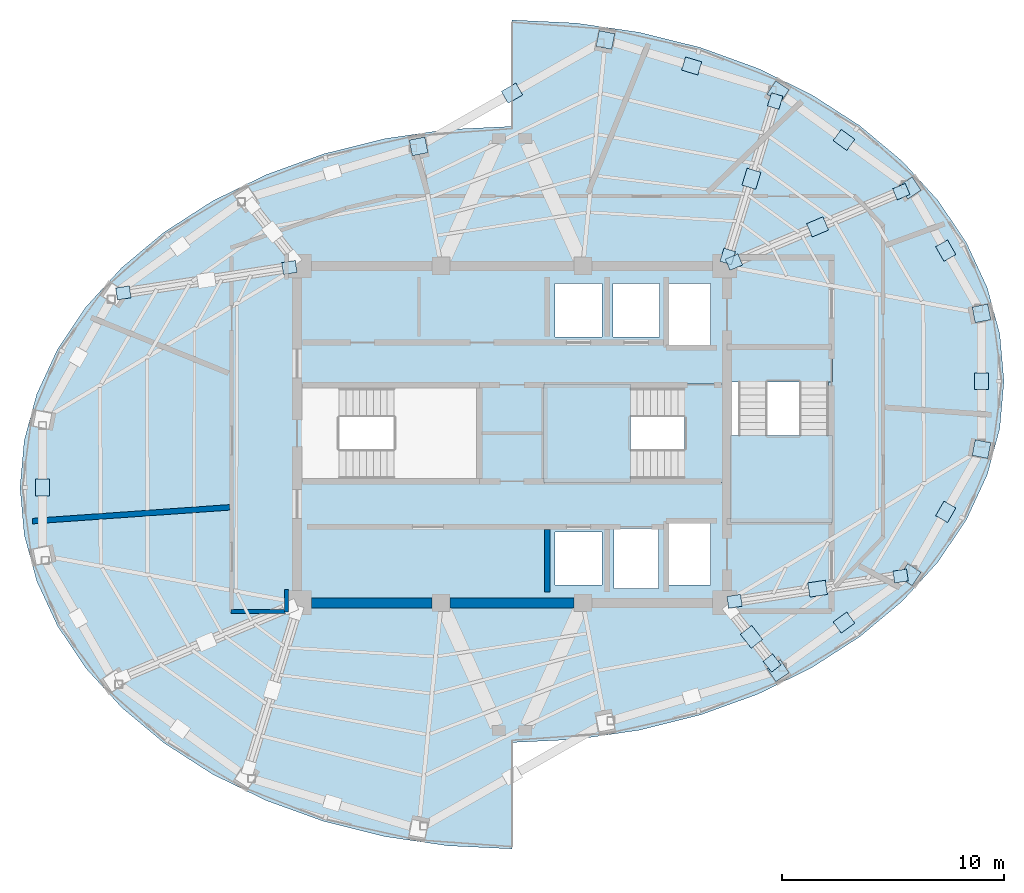
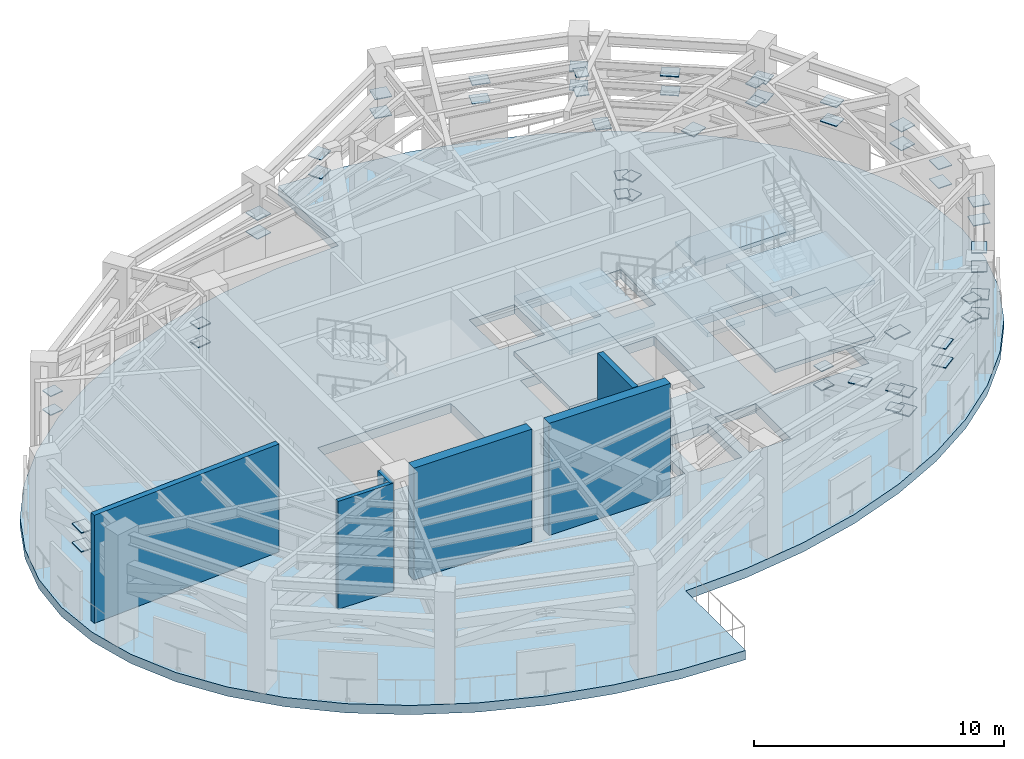
# One storey, part 6 of 12: 54 plates, 7 slabs, 6 walls, 2 elements without a shape of their own.
"""IFC4 building model written with IfcOpenShell, lengths in metres."""

from ifc_helpers import new_model, si_unit, direction, frame, frame_2d, origin, origin_2d, place, context, subcontext, project, spatial, polyline, rectangle, outline, extrude, material, layer, layer_set, type_object, element, aggregate, save


model = new_model("IFC4")

# Units and contexts
model_context = context("Model", 3, precision=1e-05, world=origin(), true_north=direction((0.0, 1.0)))
body_context = subcontext(model_context, "Body", "Model", "MODEL_VIEW")
ifc_project = project(units=[si_unit("LENGTHUNIT", "METRE"), si_unit("AREAUNIT", "SQUARE_METRE"), si_unit("VOLUMEUNIT", "CUBIC_METRE"), si_unit("PLANEANGLEUNIT", "RADIAN"), si_unit("MASSUNIT", "GRAM", prefix="KILO")], contexts=[model_context])

# Site, building, storey
site_placement = place(None, origin())
site = spatial("IfcSite", under=ifc_project, at=site_placement, CompositionType="ELEMENT")
building_placement = place(site_placement, origin())
building = spatial("IfcBuilding", under=site, at=building_placement, Name="Lazwardi Medical Tower", CompositionType="ELEMENT")
storey_placement = place(building_placement, frame((0.0, 0.0, 245.904052734375)))
storey = spatial("IfcBuildingStorey", under=building, at=storey_placement, Name="L64", CompositionType="ELEMENT", Elevation=245.904052734375)

# Plates
ifc_material_1 = material(Name="Steel S460", Category="steel")
ifc_layer_1 = layer(ifc_material_1, 0.0400390625)
ifc_layer_set_1 = layer_set([ifc_layer_1], Name="Steel S460")
plate_type = type_object("IfcPlateType", Name="PLT-GUS-01", PredefinedType="USERDEFINED", material=ifc_layer_set_1)
for number, where, z_axis, x_axis, name in (
    (1, (48.000244140625, 17.345947265625, 2.659912109375), (0.0, 0.0, 1.0), (0.55557023302, -0.831469612303, 0.0), "Belt truss column gusset plate GP-01 MB02 L64"),
    (2, (48.000244140625, 17.345947265625, 3.579833984375), (0.0, 0.0, 1.0), (0.55557023302, -0.831469612303, 0.0), "Belt truss column gusset plate GP-01 MT02 L64"),
):
    element("IfcPlate", number, at=place(storey_placement, frame(where, z_axis=z_axis, x_axis=x_axis)), inside=storey, type_object=plate_type, Name=name, ObjectType="GUSSET_PLATE", PredefinedType="USERDEFINED", context=body_context, shape_type="SweptSolid", body=[
        extrude(rectangle(XDim=0.719970703125, YDim=0.719970703125, at=origin_2d()), origin(), (0.0, 0.0, 1.0), 0.0400390625),
    ])
for number, where, z_axis, x_axis, name in (
    (3, (50.97998046875, 19.51171875, 3.579833984375), (0.0, 0.0, 1.0), (0.808914394174, 0.587926443442, 0.0), "Belt truss gusset plate GP-01 T02 L64"),
    (4, (50.97998046875, 19.51171875, 2.659912109375), (0.0, 0.0, 1.0), (0.808914394174, 0.587926443442, 0.0), "Belt truss gusset plate GP-01 B02 L64"),
):
    element("IfcPlate", number, at=place(storey_placement, frame(where, z_axis=z_axis, x_axis=x_axis)), inside=storey, type_object=plate_type, Name=name, ObjectType="GUSSET_PLATE", PredefinedType="USERDEFINED", context=body_context, shape_type="SweptSolid", body=[
        extrude(rectangle(XDim=0.760009765625, YDim=0.6201171875, at=origin_2d()), origin(), (0.0, 0.0, 1.0), 0.0400390625),
    ])
for number, where, z_axis, x_axis, name in (
    (5, (53.959716796875, 21.677490234375, 2.659912109375), (0.0, 0.0, 1.0), (0.831469612303, -0.55557023302, 0.0), "Belt truss column gusset plate GP-01 MB03 L64"),
    (6, (53.959716796875, 21.677490234375, 3.579833984375), (0.0, 0.0, 1.0), (0.831469612303, -0.55557023302, 0.0), "Belt truss column gusset plate GP-01 MT03 L64"),
):
    element("IfcPlate", number, at=place(storey_placement, frame(where, z_axis=z_axis, x_axis=x_axis)), inside=storey, type_object=plate_type, Name=name, ObjectType="GUSSET_PLATE", PredefinedType="USERDEFINED", context=body_context, shape_type="SweptSolid", body=[
        extrude(rectangle(XDim=0.719970703125, YDim=0.719970703125, at=origin_2d()), origin(), (0.0, 0.0, 1.0), 0.0400390625),
    ])
for number, where, z_axis, x_axis, name in (
    (7, (55.572509765625, 24.50732421875, 3.579833984375), (0.0, 0.0, 1.0), (0.495155428655, 0.868804409216, 0.0), "Belt truss gusset plate GP-01 T03 L64"),
    (8, (55.572509765625, 24.50732421875, 2.659912109375), (0.0, 0.0, 1.0), (0.495155428655, 0.868804409216, 0.0), "Belt truss gusset plate GP-01 B03 L64"),
):
    element("IfcPlate", number, at=place(storey_placement, frame(where, z_axis=z_axis, x_axis=x_axis)), inside=storey, type_object=plate_type, Name=name, ObjectType="GUSSET_PLATE", PredefinedType="USERDEFINED", context=body_context, shape_type="SweptSolid", body=[
        extrude(rectangle(XDim=0.760009765625, YDim=0.6201171875, at=origin_2d()), origin(), (0.0, 0.0, 1.0), 0.0400390625),
    ])
for number, where, z_axis, x_axis, name in (
    (9, (57.18505859375, 27.337158203125, 2.659912109375), (0.0, 0.0, 1.0), (0.980785280403, -0.195090322016, 0.0), "Belt truss column gusset plate GP-01 MB04 L64"),
    (10, (57.18505859375, 27.337158203125, 3.579833984375), (0.0, 0.0, 1.0), (0.980785280403, -0.195090322016, 0.0), "Belt truss column gusset plate GP-01 MT04 L64"),
):
    element("IfcPlate", number, at=place(storey_placement, frame(where, z_axis=z_axis, x_axis=x_axis)), inside=storey, type_object=plate_type, Name=name, ObjectType="GUSSET_PLATE", PredefinedType="USERDEFINED", context=body_context, shape_type="SweptSolid", body=[
        extrude(rectangle(XDim=0.719970703125, YDim=0.719970703125, at=origin_2d()), origin(), (0.0, 0.0, 1.0), 0.0400390625),
    ])
for number, where, z_axis, x_axis, name in (
    (11, (57.18505859375, 30.39990234375, 3.579833984375), (0.0, 0.0, 1.0), (0.0, 1.0, 0.0), "Belt truss gusset plate GP-01 T04 L64"),
    (12, (57.18505859375, 30.39990234375, 2.659912109375), (0.0, 0.0, 1.0), (0.0, 1.0, 0.0), "Belt truss gusset plate GP-01 B04 L64"),
):
    element("IfcPlate", number, at=place(storey_placement, frame(where, z_axis=z_axis, x_axis=x_axis)), inside=storey, type_object=plate_type, Name=name, ObjectType="GUSSET_PLATE", PredefinedType="USERDEFINED", context=body_context, shape_type="SweptSolid", body=[
        extrude(rectangle(XDim=0.760009765625, YDim=0.6201171875, at=origin_2d()), origin(), (0.0, 0.0, 1.0), 0.0400390625),
    ])
for number, where, z_axis, x_axis, name in (
    (13, (57.18505859375, 33.462890625, 2.659912109375), (0.0, 0.0, 1.0), (0.980785280403, 0.195090322016, 0.0), "Belt truss column gusset plate GP-01 MB05 L64"),
    (14, (57.18505859375, 33.462890625, 3.579833984375), (0.0, 0.0, 1.0), (0.980785280403, 0.195090322016, 0.0), "Belt truss column gusset plate GP-01 MT05 L64"),
):
    element("IfcPlate", number, at=place(storey_placement, frame(where, z_axis=z_axis, x_axis=x_axis)), inside=storey, type_object=plate_type, Name=name, ObjectType="GUSSET_PLATE", PredefinedType="USERDEFINED", context=body_context, shape_type="SweptSolid", body=[
        extrude(rectangle(XDim=0.719970703125, YDim=0.719970703125, at=origin_2d()), origin(), (0.0, 0.0, 1.0), 0.0400390625),
    ])
for number, where, z_axis, x_axis, name in (
    (15, (55.572509765625, 36.292724609375, 3.579833984375), (0.0, 0.0, 1.0), (-0.495155428655, 0.868804409216, 0.0), "Belt truss gusset plate GP-01 T05 L64"),
    (16, (55.572509765625, 36.292724609375, 2.659912109375), (0.0, 0.0, 1.0), (-0.495155428655, 0.868804409216, 0.0), "Belt truss gusset plate GP-01 B05 L64"),
):
    element("IfcPlate", number, at=place(storey_placement, frame(where, z_axis=z_axis, x_axis=x_axis)), inside=storey, type_object=plate_type, Name=name, ObjectType="GUSSET_PLATE", PredefinedType="USERDEFINED", context=body_context, shape_type="SweptSolid", body=[
        extrude(rectangle(XDim=0.760009765625, YDim=0.6201171875, at=origin_2d()), origin(), (0.0, 0.0, 1.0), 0.0400390625),
    ])
for number, where, z_axis, x_axis, name in (
    (17, (53.959716796875, 39.12255859375, 2.659912109375), (0.0, 0.0, 1.0), (0.831469612303, 0.55557023302, 0.0), "Belt truss column gusset plate GP-01 MB06 L64"),
    (18, (53.959716796875, 39.12255859375, 3.579833984375), (0.0, 0.0, 1.0), (0.831469612303, 0.55557023302, 0.0), "Belt truss column gusset plate GP-01 MT06 L64"),
):
    element("IfcPlate", number, at=place(storey_placement, frame(where, z_axis=z_axis, x_axis=x_axis)), inside=storey, type_object=plate_type, Name=name, ObjectType="GUSSET_PLATE", PredefinedType="USERDEFINED", context=body_context, shape_type="SweptSolid", body=[
        extrude(rectangle(XDim=0.719970703125, YDim=0.719970703125, at=origin_2d()), origin(), (0.0, 0.0, 1.0), 0.0400390625),
    ])
for number, where, z_axis, x_axis, name in (
    (19, (50.97998046875, 41.288330078125, 3.579833984375), (0.0, 0.0, 1.0), (-0.808914394174, 0.587926443442, 0.0), "Belt truss gusset plate GP-01 T06 L64"),
    (20, (50.97998046875, 41.288330078125, 2.659912109375), (0.0, 0.0, 1.0), (-0.808914394174, 0.587926443442, 0.0), "Belt truss gusset plate GP-01 B06 L64"),
):
    element("IfcPlate", number, at=place(storey_placement, frame(where, z_axis=z_axis, x_axis=x_axis)), inside=storey, type_object=plate_type, Name=name, ObjectType="GUSSET_PLATE", PredefinedType="USERDEFINED", context=body_context, shape_type="SweptSolid", body=[
        extrude(rectangle(XDim=0.760009765625, YDim=0.6201171875, at=origin_2d()), origin(), (0.0, 0.0, 1.0), 0.0400390625),
    ])
for number, where, z_axis, x_axis, name in (
    (21, (48.000244140625, 43.4541015625, 2.659912109375), (0.0, 0.0, 1.0), (0.55557023302, 0.831469612303, 0.0), "Belt truss column gusset plate GP-01 MB07 L64"),
    (22, (48.000244140625, 43.4541015625, 3.579833984375), (0.0, 0.0, 1.0), (0.55557023302, 0.831469612303, 0.0), "Belt truss column gusset plate GP-01 MT07 L64"),
):
    element("IfcPlate", number, at=place(storey_placement, frame(where, z_axis=z_axis, x_axis=x_axis)), inside=storey, type_object=plate_type, Name=name, ObjectType="GUSSET_PLATE", PredefinedType="USERDEFINED", context=body_context, shape_type="SweptSolid", body=[
        extrude(rectangle(XDim=0.719970703125, YDim=0.719970703125, at=origin_2d()), origin(), (0.0, 0.0, 1.0), 0.0400390625),
    ])
for number, where, z_axis, x_axis, name in (
    (23, (44.107177734375, 44.626220703125, 3.579833984375), (0.0, 0.0, 1.0), (-0.957571360805, 0.288196268134, 0.0), "Belt truss gusset plate GP-01 T07 L64"),
    (24, (44.107177734375, 44.626220703125, 2.659912109375), (0.0, 0.0, 1.0), (-0.957571360805, 0.288196268134, 0.0), "Belt truss gusset plate GP-01 B07 L64"),
):
    element("IfcPlate", number, at=place(storey_placement, frame(where, z_axis=z_axis, x_axis=x_axis)), inside=storey, type_object=plate_type, Name=name, ObjectType="GUSSET_PLATE", PredefinedType="USERDEFINED", context=body_context, shape_type="SweptSolid", body=[
        extrude(rectangle(XDim=0.760009765625, YDim=0.6201171875, at=origin_2d()), origin(), (0.0, 0.0, 1.0), 0.0400390625),
    ])
for number, where, z_axis, x_axis, name in (
    (25, (40.214111328125, 45.79833984375, 2.659912109375), (0.0, 0.0, 1.0), (0.195090322016, 0.980785280403, 0.0), "Belt truss column gusset plate GP-01 MB08 L64"),
    (26, (40.214111328125, 45.79833984375, 3.579833984375), (0.0, 0.0, 1.0), (0.195090322016, 0.980785280403, 0.0), "Belt truss column gusset plate GP-01 MT08 L64"),
):
    element("IfcPlate", number, at=place(storey_placement, frame(where, z_axis=z_axis, x_axis=x_axis)), inside=storey, type_object=plate_type, Name=name, ObjectType="GUSSET_PLATE", PredefinedType="USERDEFINED", context=body_context, shape_type="SweptSolid", body=[
        extrude(rectangle(XDim=0.719970703125, YDim=0.719970703125, at=origin_2d()), origin(), (0.0, 0.0, 1.0), 0.0400390625),
    ])
for number, where, z_axis, x_axis, name in (
    (27, (36.0, 43.398193359375, 3.579833984375), (0.0, 0.0, 1.0), (-0.868977198133, -0.494852128545, 0.0), "Belt truss gusset plate GP-01 T08 L64"),
    (28, (36.0, 43.398193359375, 2.659912109375), (0.0, 0.0, 1.0), (-0.868977198133, -0.494852128545, 0.0), "Belt truss gusset plate GP-01 B08 L64"),
):
    element("IfcPlate", number, at=place(storey_placement, frame(where, z_axis=z_axis, x_axis=x_axis)), inside=storey, type_object=plate_type, Name=name, ObjectType="GUSSET_PLATE", PredefinedType="USERDEFINED", context=body_context, shape_type="SweptSolid", body=[
        extrude(rectangle(XDim=0.760009765625, YDim=0.6201171875, at=origin_2d()), origin(), (0.0, 0.0, 1.0), 0.0400390625),
    ])
for number, where, z_axis, x_axis, name in (
    (29, (31.785888671875, 40.998291015625, 2.659912109375), (0.0, 0.0, 1.0), (-0.195090322016, 0.980785280403, 0.0), "Belt truss column gusset plate GP-01 MB09 L64"),
    (30, (31.785888671875, 40.998291015625, 3.579833984375), (0.0, 0.0, 1.0), (-0.195090322016, 0.980785280403, 0.0), "Belt truss column gusset plate GP-01 MT09 L64"),
):
    element("IfcPlate", number, at=place(storey_placement, frame(where, z_axis=z_axis, x_axis=x_axis)), inside=storey, type_object=plate_type, Name=name, ObjectType="GUSSET_PLATE", PredefinedType="USERDEFINED", context=body_context, shape_type="SweptSolid", body=[
        extrude(rectangle(XDim=0.719970703125, YDim=0.719970703125, at=origin_2d()), origin(), (0.0, 0.0, 1.0), 0.0400390625),
    ])
for number, where, z_axis, x_axis, name in (
    (31, (14.81494140625, 25.60009765625, 3.579833984375), (0.0, 0.0, 1.0), (0.0, -1.0, 0.0), "Belt truss gusset plate GP-01 T12 L64"),
    (32, (14.81494140625, 25.60009765625, 2.659912109375), (0.0, 0.0, 1.0), (0.0, -1.0, 0.0), "Belt truss gusset plate GP-01 B12 L64"),
):
    element("IfcPlate", number, at=place(storey_placement, frame(where, z_axis=z_axis, x_axis=x_axis)), inside=storey, type_object=plate_type, Name=name, ObjectType="GUSSET_PLATE", PredefinedType="USERDEFINED", context=body_context, shape_type="SweptSolid", body=[
        extrude(rectangle(XDim=0.760009765625, YDim=0.6201171875, at=origin_2d()), origin(), (0.0, 0.0, 1.0), 0.0400390625),
    ])
plate_1_placement = place(storey_placement, frame((46.806396484375, 18.864990234375, 3.579833984375), z_axis=(0.0, 0.0, 1.0), x_axis=(0.61785961309, -0.786288432137, 0.0)))
element("IfcPlate", 33, at=plate_1_placement, inside=storey, type_object=plate_type, Name="Outrigger truss gusset plate GP-01 OR3 L64", ObjectType="GUSSET_PLATE", PredefinedType="USERDEFINED", context=body_context, shape_type="SweptSolid", body=[
    extrude(rectangle(XDim=0.800048828125, YDim=0.64990234375, at=origin_2d()), origin(), (0.0, 0.0, 1.0), 0.0400390625),
])
for number, where, z_axis, x_axis, name in (
    (34, (47.734619140625, 17.68408203125, 2.659912109375), (0.0, 0.0, 1.0), (0.61785961309, -0.786288432137, 0.0), "Outrigger perimeter gusset plate GP-01 OR3MB L64"),
    (35, (47.734619140625, 17.68408203125, 3.579833984375), (0.0, 0.0, 1.0), (0.61785961309, -0.786288432137, 0.0), "Outrigger perimeter gusset plate GP-01 OR3MT L64"),
):
    element("IfcPlate", number, at=place(storey_placement, frame(where, z_axis=z_axis, x_axis=x_axis)), inside=storey, type_object=plate_type, Name=name, ObjectType="GUSSET_PLATE", PredefinedType="USERDEFINED", context=body_context, shape_type="SweptSolid", body=[
        extrude(rectangle(XDim=0.6201171875, YDim=0.5400390625, at=origin_2d()), origin(), (0.0, 0.0, 1.0), 0.0400390625),
    ])
plate_2_placement = place(storey_placement, frame((49.789794921875, 21.040283203125, 3.579833984375), z_axis=(0.0, 0.0, 1.0), x_axis=(0.988520271746, 0.151088293215, 0.0)))
element("IfcPlate", 36, at=plate_2_placement, inside=storey, type_object=plate_type, Name="Outrigger truss gusset plate GP-01 OR4 L64", ObjectType="GUSSET_PLATE", PredefinedType="USERDEFINED", context=body_context, shape_type="SweptSolid", body=[
    extrude(rectangle(XDim=0.800048828125, YDim=0.64990234375, at=origin_2d()), origin(), (0.0, 0.0, 1.0), 0.0400390625),
])
for number, where, z_axis, x_axis, name in (
    (37, (46.044921875, 20.468017578125, 2.659912109375), (0.0, 0.0, 1.0), (0.988520271746, 0.151088293215, 0.0), "Outrigger core gusset plate GP-01 OR4CB L64"),
    (38, (46.044921875, 20.468017578125, 3.579833984375), (0.0, 0.0, 1.0), (0.988520271746, 0.151088293215, 0.0), "Outrigger core gusset plate GP-01 OR4CT L64"),
    (39, (53.53466796875, 21.612548828125, 2.659912109375), (0.0, 0.0, 1.0), (0.988520271746, 0.151088293215, 0.0), "Outrigger perimeter gusset plate GP-01 OR4MB L64"),
    (40, (53.53466796875, 21.612548828125, 3.579833984375), (0.0, 0.0, 1.0), (0.988520271746, 0.151088293215, 0.0), "Outrigger perimeter gusset plate GP-01 OR4MT L64"),
):
    element("IfcPlate", number, at=place(storey_placement, frame(where, z_axis=z_axis, x_axis=x_axis)), inside=storey, type_object=plate_type, Name=name, ObjectType="GUSSET_PLATE", PredefinedType="USERDEFINED", context=body_context, shape_type="SweptSolid", body=[
        extrude(rectangle(XDim=0.6201171875, YDim=0.5400390625, at=origin_2d()), origin(), (0.0, 0.0, 1.0), 0.0400390625),
    ])
plate_3_placement = place(storey_placement, frame((49.7890625, 37.364990234375, 3.579833984375), z_axis=(0.0, 0.0, 1.0), x_axis=(0.921524629468, 0.388319916157, 0.0)))
element("IfcPlate", 41, at=plate_3_placement, inside=storey, type_object=plate_type, Name="Outrigger truss gusset plate GP-01 OR5 L64", ObjectType="GUSSET_PLATE", PredefinedType="USERDEFINED", context=body_context, shape_type="SweptSolid", body=[
    extrude(rectangle(XDim=0.800048828125, YDim=0.64990234375, at=origin_2d()), origin(), (0.0, 0.0, 1.0), 0.0400390625),
])
for number, where, z_axis, x_axis, name in (
    (42, (46.0146484375, 35.774658203125, 2.659912109375), (0.0, 0.0, 1.0), (0.921524629468, 0.388319916157, 0.0), "Outrigger core gusset plate GP-01 OR5CB L64"),
    (43, (46.0146484375, 35.774658203125, 3.579833984375), (0.0, 0.0, 1.0), (0.921524629468, 0.388319916157, 0.0), "Outrigger core gusset plate GP-01 OR5CT L64"),
    (44, (53.5634765625, 38.95556640625, 2.659912109375), (0.0, 0.0, 1.0), (0.921524629468, 0.388319916157, 0.0), "Outrigger perimeter gusset plate GP-01 OR5MB L64"),
    (45, (53.5634765625, 38.95556640625, 3.579833984375), (0.0, 0.0, 1.0), (0.921524629468, 0.388319916157, 0.0), "Outrigger perimeter gusset plate GP-01 OR5MT L64"),
):
    element("IfcPlate", number, at=place(storey_placement, frame(where, z_axis=z_axis, x_axis=x_axis)), inside=storey, type_object=plate_type, Name=name, ObjectType="GUSSET_PLATE", PredefinedType="USERDEFINED", context=body_context, shape_type="SweptSolid", body=[
        extrude(rectangle(XDim=0.6201171875, YDim=0.5400390625, at=origin_2d()), origin(), (0.0, 0.0, 1.0), 0.0400390625),
    ])
plate_4_placement = place(storey_placement, frame((46.802978515625, 39.53662109375, 3.579833984375), z_axis=(0.0, 0.0, 1.0), x_axis=(0.292204793604, 0.956355769886, 0.0)))
element("IfcPlate", 46, at=plate_4_placement, inside=storey, type_object=plate_type, Name="Outrigger truss gusset plate GP-01 OR6 L64", ObjectType="GUSSET_PLATE", PredefinedType="USERDEFINED", context=body_context, shape_type="SweptSolid", body=[
    extrude(rectangle(XDim=0.800048828125, YDim=0.64990234375, at=origin_2d()), origin(), (0.0, 0.0, 1.0), 0.0400390625),
])
for number, where, z_axis, x_axis, name in (
    (47, (45.7314453125, 36.030517578125, 2.659912109375), (0.0, 0.0, 1.0), (0.292204793604, 0.956355769886, 0.0), "Outrigger core gusset plate GP-01 OR6CB L64"),
    (48, (45.7314453125, 36.030517578125, 3.579833984375), (0.0, 0.0, 1.0), (0.292204793604, 0.956355769886, 0.0), "Outrigger core gusset plate GP-01 OR6CT L64"),
    (49, (47.87451171875, 43.04296875, 2.659912109375), (0.0, 0.0, 1.0), (0.292204793604, 0.956355769886, 0.0), "Outrigger perimeter gusset plate GP-01 OR6MB L64"),
    (50, (47.87451171875, 43.04296875, 3.579833984375), (0.0, 0.0, 1.0), (0.292204793604, 0.956355769886, 0.0), "Outrigger perimeter gusset plate GP-01 OR6MT L64"),
    (51, (25.955078125, 35.531982421875, 2.659912109375), (0.0, 0.0, 1.0), (-0.988520271746, -0.151088293215, 0.0), "Outrigger core gusset plate GP-01 OR8CB L64"),
    (52, (25.955078125, 35.531982421875, 3.579833984375), (0.0, 0.0, 1.0), (-0.988520271746, -0.151088293215, 0.0), "Outrigger core gusset plate GP-01 OR8CT L64"),
    (53, (18.46533203125, 34.387451171875, 2.659912109375), (0.0, 0.0, 1.0), (-0.988520271746, -0.151088293215, 0.0), "Outrigger perimeter gusset plate GP-01 OR8MB L64"),
    (54, (18.46533203125, 34.387451171875, 3.579833984375), (0.0, 0.0, 1.0), (-0.988520271746, -0.151088293215, 0.0), "Outrigger perimeter gusset plate GP-01 OR8MT L64"),
):
    element("IfcPlate", number, at=place(storey_placement, frame(where, z_axis=z_axis, x_axis=x_axis)), inside=storey, type_object=plate_type, Name=name, ObjectType="GUSSET_PLATE", PredefinedType="USERDEFINED", context=body_context, shape_type="SweptSolid", body=[
        extrude(rectangle(XDim=0.6201171875, YDim=0.5400390625, at=origin_2d()), origin(), (0.0, 0.0, 1.0), 0.0400390625),
    ])

# Stair, slabs
ifc_material_2 = material(Name="Concrete C45/55", Category="concrete")
stair_type = type_object("IfcStairType", Name="STR-REF", PredefinedType="HALF_TURN_STAIR", material=ifc_material_2)
stair_1_placement = place(storey_placement, origin())
stair_1 = element("IfcStair", 55, at=stair_1_placement, inside=storey, type_object=stair_type, Name="L64 Protected Exit Stair ST2", PredefinedType="HALF_TURN_STAIR")
ifc_layer_2 = layer(ifc_material_2, 0.199951171875)
ifc_layer_set_2 = layer_set([ifc_layer_2], Name="Concrete C45/55")
slab_type_1 = type_object("IfcSlabType", Name="SLB-LND-190", PredefinedType="LANDING", material=ifc_layer_set_2)
slab_1_placement = place(storey_placement, frame((0.0, 0.0, 1.16796875)))
slab_1 = element("IfcSlab", 56, at=slab_1_placement, type_object=slab_type_1, Name="ST2 landing 1", PredefinedType="LANDING", context=body_context, shape_type="SweptSolid", body=[
    extrude(outline(polyline([(41.344970703125, 30.280029296875), (37.419921875, 30.280029296875), (37.419921875, 25.840087890625), (41.344970703125, 25.840087890625), (41.344970703125, 30.280029296875)])), origin(), (0.0, 0.0, 1.0), 0.199951171875),
])
slab_2_placement = place(storey_placement, frame((0.0, 0.0, 2.535888671875)))
slab_2 = element("IfcSlab", 57, at=slab_2_placement, type_object=slab_type_1, Name="ST2 landing 2", PredefinedType="LANDING", context=body_context, shape_type="SweptSolid", body=[
    extrude(outline(polyline([(45.52001953125, 30.280029296875), (43.77490234375, 30.280029296875), (43.77490234375, 25.840087890625), (45.52001953125, 25.840087890625), (45.52001953125, 30.280029296875)])), origin(), (0.0, 0.0, 1.0), 0.199951171875),
])
slab_3_placement = place(storey_placement, frame((0.0, 0.0, 3.904052734375)))
slab_3 = element("IfcSlab", 58, at=slab_3_placement, type_object=slab_type_1, Name="ST2 landing 3", PredefinedType="LANDING", context=body_context, shape_type="SweptSolid", body=[
    extrude(outline(polyline([(41.344970703125, 30.280029296875), (37.419921875, 30.280029296875), (37.419921875, 25.840087890625), (41.344970703125, 25.840087890625), (41.344970703125, 30.280029296875)])), origin(), (0.0, 0.0, 1.0), 0.199951171875),
])
aggregate(stair_1, [slab_1, slab_2, slab_3])

stair_2_placement = place(storey_placement, origin())
stair_2 = element("IfcStair", 59, at=stair_2_placement, inside=storey, type_object=stair_type, Name="L64 Protected Exit Stair ST3", PredefinedType="HALF_TURN_STAIR")
slab_4_placement = place(storey_placement, frame((0.0, 0.0, 1.16796875)))
slab_4 = element("IfcSlab", 60, at=slab_4_placement, type_object=slab_type_1, Name="ST3 landing 1", PredefinedType="LANDING", context=body_context, shape_type="SweptSolid", body=[
    extrude(outline(polyline([(45.860107421875, 27.945068359375), (45.860107421875, 24.02001953125), (50.4599609375, 24.02001953125), (50.4599609375, 27.945068359375), (45.860107421875, 27.945068359375)])), origin(), (0.0, 0.0, 1.0), 0.199951171875),
])
slab_5_placement = place(storey_placement, frame((0.0, 0.0, 2.535888671875)))
slab_5 = element("IfcSlab", 61, at=slab_5_placement, type_object=slab_type_1, Name="ST3 landing 2", PredefinedType="LANDING", context=body_context, shape_type="SweptSolid", body=[
    extrude(outline(polyline([(45.860107421875, 32.02001953125), (45.860107421875, 30.375), (50.4599609375, 30.375), (50.4599609375, 32.02001953125), (45.860107421875, 32.02001953125)])), origin(), (0.0, 0.0, 1.0), 0.199951171875),
])
slab_6_placement = place(storey_placement, frame((0.0, 0.0, 3.904052734375)))
slab_6 = element("IfcSlab", 62, at=slab_6_placement, type_object=slab_type_1, Name="ST3 landing 3", PredefinedType="LANDING", context=body_context, shape_type="SweptSolid", body=[
    extrude(outline(polyline([(45.860107421875, 27.945068359375), (45.860107421875, 24.02001953125), (50.4599609375, 24.02001953125), (50.4599609375, 27.945068359375), (45.860107421875, 27.945068359375)])), origin(), (0.0, 0.0, 1.0), 0.199951171875),
])
aggregate(stair_2, [slab_4, slab_5, slab_6])

# Slab
ifc_material_3 = material(Name="Concrete C60/75", Category="concrete")
ifc_layer_3 = layer(ifc_material_3, 0.449951171875)
ifc_layer_set_3 = layer_set([ifc_layer_3], Name="Concrete C60/75")
slab_type_2 = type_object("IfcSlabType", Name="SLB-TRN-450", PredefinedType="FLOOR", material=ifc_layer_set_3)
slab_7_placement = place(storey_placement, frame((0.0, 0.0, -0.449951171875)))
element("IfcSlab", 63, at=slab_7_placement, inside=storey, type_object=slab_type_2, Name="Structural floor slab SF-02 L64", PredefinedType="FLOOR", context=body_context, shape_type="SweptSolid", body=[
    extrude(outline(polyline([(18.3876953125, 15.67724609375), (20.30224609375, 14.07421875), (22.485595703125, 12.668212890625), (24.89990234375, 11.48388671875), (27.50439453125, 10.540771484375), (30.254150390625, 9.85546875), (33.102294921875, 9.439453125), (36.0, 9.300048828125), (36.0, 14.10009765625), (38.897705078125, 14.239501953125), (41.745849609375, 14.655517578125), (44.49560546875, 15.3408203125), (47.10009765625, 16.28369140625), (49.514404296875, 17.46826171875), (51.69775390625, 18.874267578125), (53.6123046875, 20.477294921875), (55.225830078125, 22.25), (56.510009765625, 24.162353515625), (57.443603515625, 26.18115234375), (58.010009765625, 28.2724609375), (58.199951171875, 30.39990234375), (58.010009765625, 32.527587890625), (57.443603515625, 34.618896484375), (56.510009765625, 36.6376953125), (55.225830078125, 38.550048828125), (53.6123046875, 40.32275390625), (51.69775390625, 41.92578125), (49.514404296875, 43.331787109375), (47.10009765625, 44.51611328125), (44.49560546875, 45.459228515625), (41.745849609375, 46.14453125), (38.897705078125, 46.560546875), (36.0, 46.699951171875), (36.0, 41.89990234375), (33.102294921875, 41.760498046875), (30.254150390625, 41.344482421875), (27.50439453125, 40.6591796875), (24.89990234375, 39.71630859375), (22.485595703125, 38.53173828125), (20.30224609375, 37.125732421875), (18.3876953125, 35.522705078125), (16.774169921875, 33.75), (15.489990234375, 31.837646484375), (14.556396484375, 29.81884765625), (13.989990234375, 27.7275390625), (13.800048828125, 25.60009765625), (13.989990234375, 23.472412109375), (14.556396484375, 21.381103515625), (15.489990234375, 19.3623046875), (16.774169921875, 17.449951171875), (18.3876953125, 15.67724609375)]), holes=[polyline([(28.22509765625, 26.02001953125), (28.22509765625, 30.10009765625), (34.39990234375, 30.10009765625), (34.39990234375, 26.02001953125), (28.22509765625, 26.02001953125)]), polyline([(37.60009765625, 30.10009765625), (43.77490234375, 30.10009765625), (43.77490234375, 26.02001953125), (37.60009765625, 26.02001953125), (37.60009765625, 30.10009765625)]), polyline([(50.280029296875, 30.375), (50.280029296875, 24.179931640625), (45.840087890625, 24.179931640625), (45.840087890625, 30.375), (50.280029296875, 30.375)]), polyline([(40.050048828125, 32.39990234375), (37.949951171875, 32.39990234375), (37.949951171875, 34.800048828125), (40.050048828125, 34.800048828125), (40.050048828125, 32.39990234375)]), polyline([(40.550048828125, 32.39990234375), (40.550048828125, 34.800048828125), (42.64990234375, 34.800048828125), (42.64990234375, 32.39990234375), (40.550048828125, 32.39990234375)]), polyline([(37.949951171875, 23.60009765625), (40.050048828125, 23.60009765625), (40.050048828125, 21.199951171875), (37.949951171875, 21.199951171875), (37.949951171875, 23.60009765625)]), polyline([(44.949951171875, 34.800048828125), (44.949951171875, 32.0), (43.050048828125, 32.0), (43.050048828125, 34.800048828125), (44.949951171875, 34.800048828125)]), polyline([(44.949951171875, 21.199951171875), (43.050048828125, 21.199951171875), (43.050048828125, 24.0), (44.949951171875, 24.0), (44.949951171875, 21.199951171875)]), polyline([(40.60009765625, 21.050048828125), (40.60009765625, 23.75), (42.60009765625, 23.75), (42.60009765625, 21.050048828125), (40.60009765625, 21.050048828125)])]), origin(), (0.0, 0.0, 1.0), 0.449951171875),
])

# Walls
ifc_material_4 = material(Name="Fire-rated gypsum board on steel stud", Category="steel")
ifc_layer_4 = layer(ifc_material_4, 0.179931640625)
ifc_layer_set_4 = layer_set([ifc_layer_4], Name="Fire-rated gypsum board on steel stud")
wall_type_1 = type_object("IfcWallType", Name="WL-COR-180", PredefinedType="PARTITIONING", material=ifc_layer_set_4)
wall_1_placement = place(storey_placement, frame((25.830078125, 21.010009765625, 0.0), z_axis=(0.0, 0.0, 1.0), x_axis=(0.0, -1.0, 0.0)))
element("IfcWall", 64, at=wall_1_placement, inside=storey, type_object=wall_type_1, Name="L64 Corridor partition 8", PredefinedType="PARTITIONING", context=body_context, shape_type="SweptSolid", body=[
    extrude(rectangle(XDim=1.030029296875, YDim=0.179931640625, at=frame_2d((0.51513671875, 0.0))), origin(), (0.0, 0.0, 1.0), 5.27197265625),
])
wall_2_placement = place(storey_placement, frame((25.8701171875, 20.02001953125, 0.0), z_axis=(0.0, 0.0, 1.0), x_axis=(-1.0, 0.0, 0.0)))
element("IfcWall", 65, at=wall_2_placement, inside=storey, type_object=wall_type_1, Name="L64 Corridor partition 9", PredefinedType="PARTITIONING", context=body_context, shape_type="SweptSolid", body=[
    extrude(rectangle(XDim=2.56005859375, YDim=0.179931640625, at=frame_2d((1.280029296875, 0.0))), origin(), (0.0, 0.0, 1.0), 5.27197265625),
])
ifc_layer_5 = layer(ifc_material_3, 0.449951171875)
ifc_layer_set_5 = layer_set([ifc_layer_5], Name="Concrete C60/75")
wall_type_2 = type_object("IfcWallType", Name="WL-CORE-450", PredefinedType="SHEAR", material=ifc_layer_set_5)
wall_3_placement = place(storey_placement, frame((26.949951171875, 20.39990234375, 0.0), z_axis=(0.0, 0.0, 1.0), x_axis=(1.0, 0.0, 0.0)))
element("IfcWall", 66, at=wall_3_placement, inside=storey, type_object=wall_type_2, Name="Core wall CW-S4 S1 L64", PredefinedType="SHEAR", context=body_context, shape_type="SweptSolid", body=[
    extrude(rectangle(XDim=5.449951171875, YDim=0.449951171875, at=frame_2d((2.72509765625, 0.0))), origin(), (0.0, 0.0, 1.0), 5.471923828125),
])
wall_4_placement = place(storey_placement, frame((33.199951171875, 20.39990234375, 0.0), z_axis=(0.0, 0.0, 1.0), x_axis=(1.0, 0.0, 0.0)))
element("IfcWall", 67, at=wall_4_placement, inside=storey, type_object=wall_type_2, Name="Core wall CW-S4 S2 L64", PredefinedType="SHEAR", context=body_context, shape_type="SweptSolid", body=[
    extrude(rectangle(XDim=5.60009765625, YDim=0.449951171875, at=frame_2d((2.800048828125, 0.0))), origin(), (0.0, 0.0, 1.0), 5.471923828125),
])
ifc_material_5 = material(Name="Autoclaved aerated concrete blockwork", Category="masonry")
ifc_layer_6 = layer(ifc_material_5, 0.25)
ifc_layer_set_6 = layer_set([ifc_layer_6], Name="Autoclaved aerated concrete blockwork")
wall_type_3 = type_object("IfcWallType", Name="WL-SHAFT-250", PredefinedType="SOLIDWALL", material=ifc_layer_set_6)
wall_5_placement = place(storey_placement, frame((37.60009765625, 20.89990234375, 0.0), z_axis=(0.0, 0.0, 1.0), x_axis=(0.0, 1.0, 0.0)))
element("IfcWall", 68, at=wall_5_placement, inside=storey, type_object=wall_type_3, Name="L64 South hoistway divider", PredefinedType="SOLIDWALL", context=body_context, shape_type="SweptSolid", body=[
    extrude(rectangle(XDim=2.800048828125, YDim=0.25, at=frame_2d((1.39990234375, 0.0))), origin(), (0.0, 0.0, 1.0), 5.27197265625),
])
wall_6_placement = place(storey_placement, frame((23.260009765625, 24.708984375, 0.0), z_axis=(0.0, 0.0, 1.0), x_axis=(-0.997564743509, -0.069746559107, 0.0)))
element("IfcWall", 69, at=wall_6_placement, inside=storey, type_object=wall_type_3, Name="L64 Room partition 8", PredefinedType="SOLIDWALL", context=body_context, shape_type="SweptSolid", body=[
    extrude(rectangle(XDim=8.91552734375, YDim=0.25, at=frame_2d((4.457763671875, 0.0))), origin(), (0.0, 0.0, 1.0), 5.27197265625),
])

save(model, "model.ifc")
